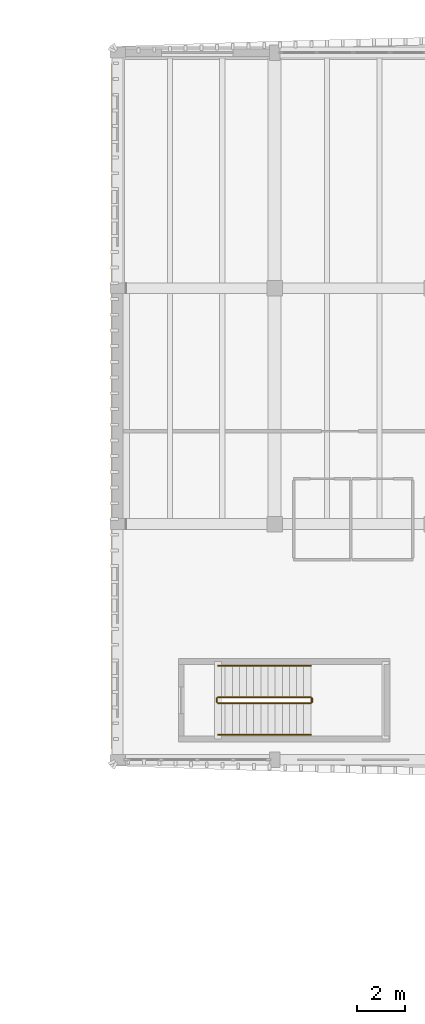
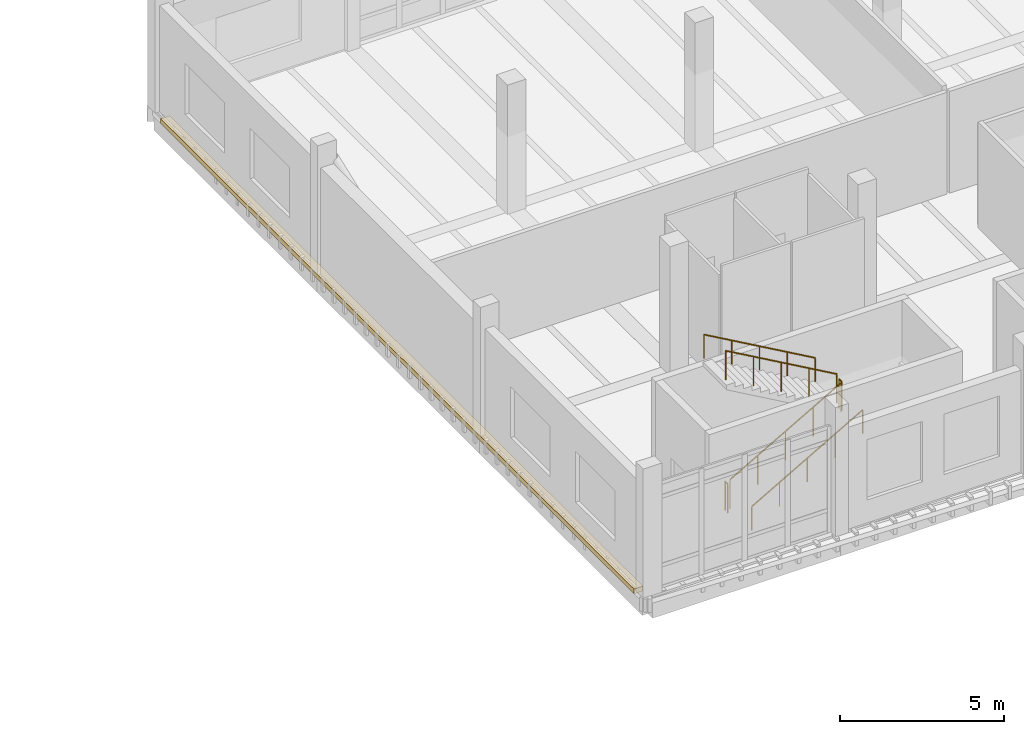
# One storey, part 39 of 50: 6 railings, 1 covering.
"""IFC4 building model written with IfcOpenShell, lengths in metres."""

from ifc_helpers import new_model, si_unit, direction, frame, origin, origin_2d, place, context, subcontext, project, spatial, polyline, circle, outline, extrude, material, layer, layer_set, type_object, element, save


model = new_model("IFC4")

# Units and contexts
model_context = context("Model", 3, precision=1e-05, world=origin(), true_north=direction((0.0, 1.0)))
body_context = subcontext(model_context, "Body", "Model", "MODEL_VIEW")
ifc_project = project(units=[si_unit("LENGTHUNIT", "METRE"), si_unit("AREAUNIT", "SQUARE_METRE"), si_unit("VOLUMEUNIT", "CUBIC_METRE"), si_unit("PLANEANGLEUNIT", "RADIAN"), si_unit("MASSUNIT", "GRAM", prefix="KILO")], contexts=[model_context])

# Site, building, storey
site_placement = place(None, origin())
site = spatial("IfcSite", under=ifc_project, at=site_placement, CompositionType="ELEMENT")
building_placement = place(site_placement, origin())
building = spatial("IfcBuilding", under=site, at=building_placement, Name="Dornvale Research Institute", CompositionType="ELEMENT")
storey_placement = place(building_placement, frame((0.0, 0.0, 19.800048828125)))
storey = spatial("IfcBuildingStorey", under=building, at=storey_placement, Name="L04", CompositionType="ELEMENT", Elevation=19.800048828125)

# Covering
ifc_material_1 = material(Name="Polychrome Glazed Terracotta Visor Rib Ceramic", Category="masonry")
ifc_layer_1 = layer(ifc_material_1, 0.179931640625)
ifc_layer_set_1 = layer_set([ifc_layer_1], Name="Polychrome Glazed Terracotta Visor Rib Ceramic")
covering_type = type_object("IfcCoveringType", Name="Covering_VisorBrim_LowShelf", PredefinedType="CLADDING", material=ifc_layer_set_1)
covering_placement = place(storey_placement, frame((0.0, 0.0, -0.260009765625)))
element("IfcCovering", 1, at=covering_placement, inside=storey, type_object=covering_type, Name="L04 V4 canted bowed-brim visor hood #58", PredefinedType="CLADDING", context=body_context, shape_type="SweptSolid", body=[
    extrude(outline(polyline([(118.540771484375, 121.64990234375), (118.860107421875, 121.64990234375), (118.860107421875, 92.85009765625), (118.540771484375, 92.85009765625), (118.540771484375, 121.64990234375)])), origin(), (0.0, 0.0, 1.0), 0.179931640625),
])

# Railings
ifc_material_2 = material(Name="Galvanized Painted Tubular Steel Stair Rail", Category="steel")
ifc_layer_2 = layer(ifc_material_2, 0.050048828125)
ifc_layer_set_2 = layer_set([ifc_layer_2], Name="Galvanized Painted Tubular Steel Stair Rail")
railing_type_1 = type_object("IfcRailingType", Name="Railing_Stair_Guard_1100", PredefinedType="GUARDRAIL", material=ifc_layer_set_2)
railing_1_placement = place(storey_placement, frame((123.02001953125, 94.77001953125, 0.17138671875)))
element("IfcRailing", 2, at=railing_1_placement, inside=storey, type_object=railing_type_1, Name="L04 ST-3 stair guard 1", PredefinedType="GUARDRAIL", context=body_context, shape_type="SweptSolid", body=[
    extrude(circle(Radius=0.02392578125, at=origin_2d()), frame((0.0, 0.0, 1.076171875), z_axis=(0.868243142124, 0.0, 0.496138938357), x_axis=(0.0, 1.0, 0.0)), (0.0, 0.0, 1.0), 4.49169921875),
    extrude(circle(Radius=0.02099609375, at=origin_2d()), origin(), (0.0, 0.0, 1.0), 1.052001953125),
    extrude(circle(Radius=0.02099609375, at=origin_2d()), frame((0.97509765625, 0.0, 0.55712890625)), (0.0, 0.0, 1.0), 1.052001953125),
    extrude(circle(Radius=0.02099609375, at=origin_2d()), frame((1.949951171875, 0.0, 1.1142578125)), (0.0, 0.0, 1.0), 1.052001953125),
    extrude(circle(Radius=0.02099609375, at=origin_2d()), frame((2.9248046875, 0.0, 1.67138671875)), (0.0, 0.0, 1.0), 1.052001953125),
    extrude(circle(Radius=0.02099609375, at=origin_2d()), frame((3.89990234375, 0.0, 2.228515625)), (0.0, 0.0, 1.0), 1.052001953125),
])
railing_2_placement = place(storey_placement, frame((126.969970703125, 94.820068359375, 2.39990234375)))
element("IfcRailing", 3, at=railing_2_placement, inside=storey, type_object=railing_type_1, Name="L04 ST-3 stair guard 2", PredefinedType="GUARDRAIL", context=body_context, shape_type="SweptSolid", body=[
    extrude(circle(Radius=0.02392578125, at=origin_2d()), frame((0.0, 0.0, 1.076171875), z_axis=(0.0, 1.0, 0.0), x_axis=(-1.0, 0.0, 0.0)), (0.0, 0.0, 1.0), 0.159912109375),
    extrude(circle(Radius=0.02099609375, at=origin_2d()), origin(), (0.0, 0.0, 1.0), 1.052001953125),
    extrude(circle(Radius=0.02099609375, at=origin_2d()), frame((0.0, 0.159912109375, 0.0)), (0.0, 0.0, 1.0), 1.052001953125),
])
railing_3_placement = place(storey_placement, frame((126.919921875, 95.030029296875, 2.5712890625)))
element("IfcRailing", 4, at=railing_3_placement, inside=storey, type_object=railing_type_1, Name="L04 ST-3 stair guard 3", PredefinedType="GUARDRAIL", context=body_context, shape_type="SweptSolid", body=[
    extrude(circle(Radius=0.02392578125, at=origin_2d()), frame((0.0, 0.0, 1.076171875), z_axis=(-0.868219727965, 0.0, 0.496179910892), x_axis=(0.0, -1.0, 0.0)), (0.0, 0.0, 1.0), 4.491943359375),
    extrude(circle(Radius=0.02099609375, at=origin_2d()), origin(), (0.0, 0.0, 1.0), 1.052001953125),
    extrude(circle(Radius=0.02099609375, at=origin_2d()), frame((-0.97509765625, 0.0, 0.55712890625)), (0.0, 0.0, 1.0), 1.052001953125),
    extrude(circle(Radius=0.02099609375, at=origin_2d()), frame((-1.949951171875, 0.0, 1.1142578125)), (0.0, 0.0, 1.0), 1.052001953125),
    extrude(circle(Radius=0.02099609375, at=origin_2d()), frame((-2.9248046875, 0.0, 1.671630859375)), (0.0, 0.0, 1.0), 1.052001953125),
    extrude(circle(Radius=0.02099609375, at=origin_2d()), frame((-3.89990234375, 0.0, 2.228759765625)), (0.0, 0.0, 1.0), 1.052001953125),
])
railing_4_placement = place(storey_placement, frame((122.969970703125, 94.820068359375, 0.0)))
element("IfcRailing", 5, at=railing_4_placement, inside=storey, type_object=railing_type_1, Name="L04 ST-3 stair guard 4", PredefinedType="GUARDRAIL", context=body_context, shape_type="SweptSolid", body=[
    extrude(circle(Radius=0.02392578125, at=origin_2d()), frame((0.0, 0.0, 1.076171875), z_axis=(0.0, 1.0, 0.0), x_axis=(-1.0, 0.0, 0.0)), (0.0, 0.0, 1.0), 0.159912109375),
    extrude(circle(Radius=0.02099609375, at=origin_2d()), origin(), (0.0, 0.0, 1.0), 1.052001953125),
    extrude(circle(Radius=0.02099609375, at=origin_2d()), frame((0.0, 0.159912109375, 0.0)), (0.0, 0.0, 1.0), 1.052001953125),
])
ifc_material_3 = material(Name="Galvanized Painted Tubular Steel Stair Rail", Category="steel")
ifc_layer_3 = layer(ifc_material_3, 0.044921875)
ifc_layer_set_3 = layer_set([ifc_layer_3], Name="Galvanized Painted Tubular Steel Stair Rail")
railing_type_2 = type_object("IfcRailingType", Name="Railing_Stair_Handrail_900", PredefinedType="HANDRAIL", material=ifc_layer_set_3)
railing_5_placement = place(storey_placement, frame((123.02001953125, 93.449951171875, 0.17138671875)))
element("IfcRailing", 6, at=railing_5_placement, inside=storey, type_object=railing_type_2, Name="L04 ST-3 stair handrail 1", PredefinedType="HANDRAIL", context=body_context, shape_type="SweptSolid", body=[
    extrude(circle(Radius=0.02392578125, at=origin_2d()), frame((0.0, 0.0, 0.8759765625), z_axis=(0.868243142124, 0.0, 0.496138938357), x_axis=(0.0, 1.0, 0.0)), (0.0, 0.0, 1.0), 4.49169921875),
    extrude(circle(Radius=0.02099609375, at=origin_2d()), origin(), (0.0, 0.0, 1.0), 0.851806640625),
    extrude(circle(Radius=0.02099609375, at=origin_2d()), frame((0.97509765625, 0.0, 0.55712890625)), (0.0, 0.0, 1.0), 0.851806640625),
    extrude(circle(Radius=0.02099609375, at=origin_2d()), frame((1.949951171875, 0.0, 1.1142578125)), (0.0, 0.0, 1.0), 0.851806640625),
    extrude(circle(Radius=0.02099609375, at=origin_2d()), frame((2.9248046875, 0.0, 1.67138671875)), (0.0, 0.0, 1.0), 0.851806640625),
    extrude(circle(Radius=0.02099609375, at=origin_2d()), frame((3.89990234375, 0.0, 2.228515625)), (0.0, 0.0, 1.0), 0.851806640625),
])
railing_6_placement = place(storey_placement, frame((126.919921875, 96.35009765625, 2.5712890625)))
element("IfcRailing", 7, at=railing_6_placement, inside=storey, type_object=railing_type_2, Name="L04 ST-3 stair handrail 2", PredefinedType="HANDRAIL", context=body_context, shape_type="SweptSolid", body=[
    extrude(circle(Radius=0.02392578125, at=origin_2d()), frame((0.0, 0.0, 0.8759765625), z_axis=(-0.868219727965, 0.0, 0.496179910892), x_axis=(0.0, -1.0, 0.0)), (0.0, 0.0, 1.0), 4.491943359375),
    extrude(circle(Radius=0.02099609375, at=origin_2d()), origin(), (0.0, 0.0, 1.0), 0.851806640625),
    extrude(circle(Radius=0.02099609375, at=origin_2d()), frame((-0.97509765625, 0.0, 0.55712890625)), (0.0, 0.0, 1.0), 0.851806640625),
    extrude(circle(Radius=0.02099609375, at=origin_2d()), frame((-1.949951171875, 0.0, 1.1142578125)), (0.0, 0.0, 1.0), 0.851806640625),
    extrude(circle(Radius=0.02099609375, at=origin_2d()), frame((-2.9248046875, 0.0, 1.671630859375)), (0.0, 0.0, 1.0), 0.851806640625),
    extrude(circle(Radius=0.02099609375, at=origin_2d()), frame((-3.89990234375, 0.0, 2.228759765625)), (0.0, 0.0, 1.0), 0.851806640625),
])

save(model, "model.ifc")
